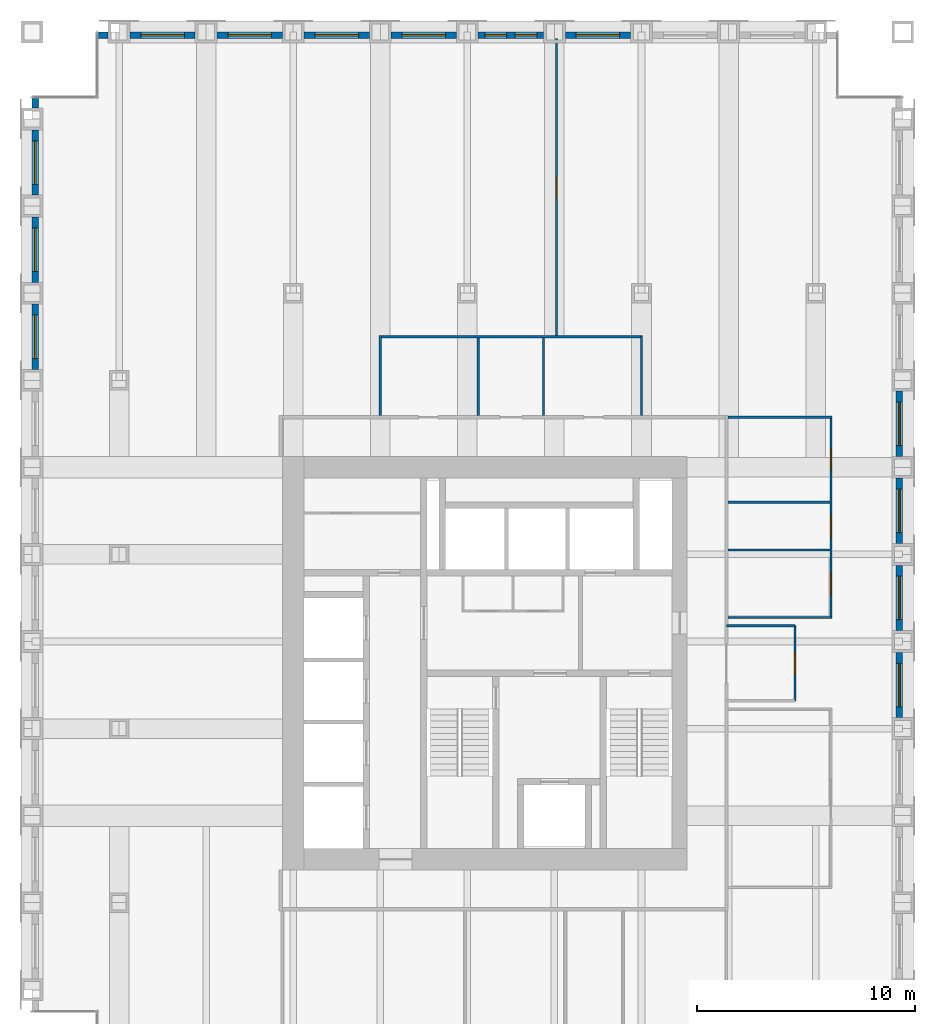
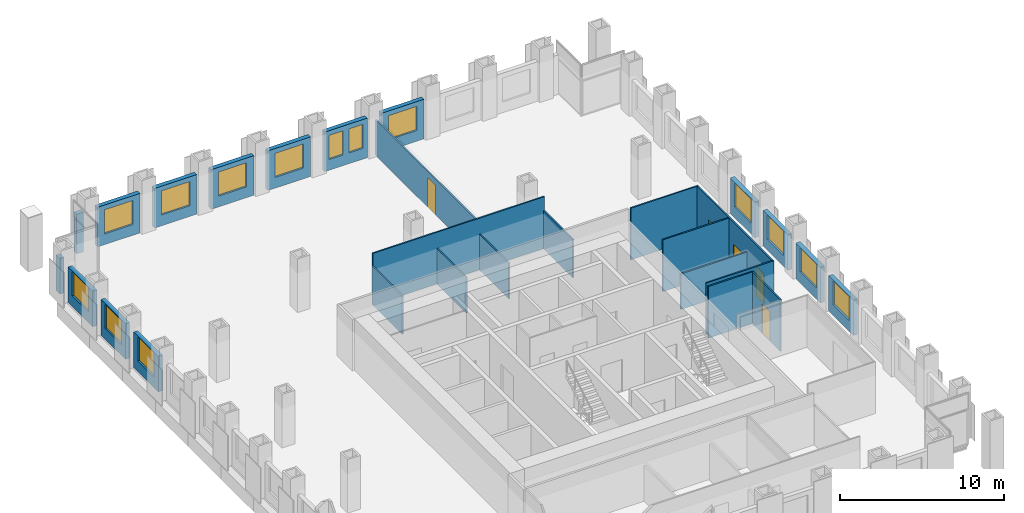
# One storey, part 11 of 13: 28 walls, 14 windows, 5 doors, 19 openings.
"""IFC4 building model written with IfcOpenShell, lengths in metres."""

from ifc_helpers import new_model, si_unit, direction, frame, frame_2d, origin, place, context, subcontext, project, spatial, rectangle, extrude, material, layer, layer_set, type_object, element, fill, save


model = new_model("IFC4")

# Units and contexts
model_context = context("Model", 3, precision=1e-05, world=origin(), true_north=direction((0.0, 1.0)))
body_context = subcontext(model_context, "Body", "Model", "MODEL_VIEW")
ifc_project = project(units=[si_unit("LENGTHUNIT", "METRE"), si_unit("AREAUNIT", "SQUARE_METRE"), si_unit("VOLUMEUNIT", "CUBIC_METRE"), si_unit("PLANEANGLEUNIT", "RADIAN"), si_unit("MASSUNIT", "GRAM", prefix="KILO")], contexts=[model_context])

# Site, building, storey
site_placement = place(None, origin())
site = spatial("IfcSite", under=ifc_project, at=site_placement, CompositionType="ELEMENT")
building_placement = place(site_placement, origin())
building = spatial("IfcBuilding", under=site, at=building_placement, Name="Rimbunsela Tower", CompositionType="ELEMENT")
storey_placement = place(building_placement, frame((0.0, 0.0, 199.800048828125)))
storey = spatial("IfcBuildingStorey", under=building, at=storey_placement, Name="L48", CompositionType="ELEMENT", Elevation=199.800048828125)

# Walls
ifc_material_1 = material(Name="Gypsum board on steel studs", Category="steel")
ifc_layer_1 = layer(ifc_material_1, 0.10009765625)
ifc_layer_set_1 = layer_set([ifc_layer_1], Name="Office partition 100")
wall_type_1 = type_object("IfcWallType", Name="Office partition 100", PredefinedType="PARTITIONING", material=ifc_layer_set_1)
wall_1_placement = place(storey_placement, frame((37.97509765625, 29.10009765625, 0.0), z_axis=(0.0, 0.0, 1.0), x_axis=(1.0, 0.0, 0.0)))
element("IfcWall", 1, at=wall_1_placement, inside=storey, type_object=wall_type_1, Name="Office partition", PredefinedType="PARTITIONING", context=body_context, shape_type="SweptSolid", body=[
    extrude(rectangle(XDim=4.77490234375, YDim=0.10009765625, at=frame_2d((2.387451171875, 0.0))), origin(), (0.0, 0.0, 1.0), 3.849853515625),
])
wall_2_placement = place(storey_placement, frame((37.97509765625, 32.199951171875, 0.0), z_axis=(0.0, 0.0, 1.0), x_axis=(1.0, 0.0, 0.0)))
element("IfcWall", 2, at=wall_2_placement, inside=storey, type_object=wall_type_1, Name="Office partition", PredefinedType="PARTITIONING", context=body_context, shape_type="SweptSolid", body=[
    extrude(rectangle(XDim=4.6748046875, YDim=0.10009765625, at=frame_2d((2.33740234375, 0.0))), origin(), (0.0, 0.0, 1.0), 2.64990234375),
])
wall_3_placement = place(storey_placement, frame((37.97509765625, 34.39990234375, 0.0), z_axis=(0.0, 0.0, 1.0), x_axis=(1.0, 0.0, 0.0)))
element("IfcWall", 3, at=wall_3_placement, inside=storey, type_object=wall_type_1, Name="Office partition", PredefinedType="PARTITIONING", context=body_context, shape_type="SweptSolid", body=[
    extrude(rectangle(XDim=4.6748046875, YDim=0.10009765625, at=frame_2d((2.33740234375, 0.0))), origin(), (0.0, 0.0, 1.0), 3.849853515625),
])
wall_4_placement = place(storey_placement, frame((37.97509765625, 38.300048828125, 0.0), z_axis=(0.0, 0.0, 1.0), x_axis=(1.0, 0.0, 0.0)))
element("IfcWall", 4, at=wall_4_placement, inside=storey, type_object=wall_type_1, Name="Office partition", PredefinedType="PARTITIONING", context=body_context, shape_type="SweptSolid", body=[
    extrude(rectangle(XDim=4.77490234375, YDim=0.10009765625, at=frame_2d((2.387451171875, 0.0))), origin(), (0.0, 0.0, 1.0), 3.849853515625),
])

# Wall, openings, doors
wall_5_placement = place(storey_placement, frame((42.699951171875, 29.14990234375, 0.0), z_axis=(0.0, 0.0, 1.0), x_axis=(0.0, 1.0, 0.0)))
wall_5 = element("IfcWall", 5, at=wall_5_placement, inside=storey, type_object=wall_type_1, Name="Office partition", PredefinedType="PARTITIONING", context=body_context, shape_type="SweptSolid", body=[
    extrude(rectangle(XDim=9.10009765625, YDim=0.10009765625, at=frame_2d((4.550048828125, 0.0))), origin(), (0.0, 0.0, 1.0), 3.849853515625),
])
opening_1_placement = place(wall_5_placement, frame((1.0, 0.0, 0.0)))
opening_1 = element("IfcOpeningElement", 6, at=opening_1_placement, cuts=wall_5, Name="Opening D16", PredefinedType="OPENING", context=body_context, shape_type="SweptSolid", body=[
    extrude(rectangle(XDim=1.0, YDim=2.199951171875, at=frame_2d((0.5, 1.10009765625))), frame((0.0, 0.06005859375, 0.0), z_axis=(0.0, -1.0, 0.0), x_axis=(1.0, 0.0, 0.0)), (0.0, 0.0, 1.0), 0.1201171875),
])
opening_2_placement = place(wall_5_placement, frame((3.64990234375, 0.0, 0.0)))
opening_2 = element("IfcOpeningElement", 7, at=opening_2_placement, cuts=wall_5, Name="Opening D16", PredefinedType="OPENING", context=body_context, shape_type="SweptSolid", body=[
    extrude(rectangle(XDim=1.0, YDim=2.199951171875, at=frame_2d((0.5, 1.10009765625))), frame((0.0, 0.06005859375, 0.0), z_axis=(0.0, -1.0, 0.0), x_axis=(1.0, 0.0, 0.0)), (0.0, 0.0, 1.0), 0.1201171875),
])
opening_3_placement = place(wall_5_placement, frame((6.699951171875, 0.0, 0.0)))
opening_3 = element("IfcOpeningElement", 8, at=opening_3_placement, cuts=wall_5, Name="Opening D16", PredefinedType="OPENING", context=body_context, shape_type="SweptSolid", body=[
    extrude(rectangle(XDim=1.0, YDim=2.199951171875, at=frame_2d((0.5, 1.10009765625))), frame((0.0, 0.06005859375, 0.0), z_axis=(0.0, -1.0, 0.0), x_axis=(1.0, 0.0, 0.0)), (0.0, 0.0, 1.0), 0.1201171875),
])
ifc_material_2 = material(Name="Timber door", Category="wood")
door_type_1 = type_object("IfcDoorType", Name="Office door 1000", OperationType="SINGLE_SWING_LEFT", PredefinedType="DOOR", material=ifc_material_2)
door_1_placement = place(opening_1_placement, origin())
door_1 = element("IfcDoor", 9, at=door_1_placement, inside=storey, type_object=door_type_1, Name="Office door", OperationType="SINGLE_SWING_LEFT", OverallHeight=2.199951171875, OverallWidth=1.0, PredefinedType="DOOR", context=body_context, shape_type="SweptSolid", body=[
    extrude(rectangle(XDim=1.0, YDim=2.199951171875, at=frame_2d((0.5, 1.10009765625))), frame((0.0, 0.02490234375, 0.0), z_axis=(0.0, -1.0, 0.0), x_axis=(1.0, 0.0, 0.0)), (0.0, 0.0, 1.0), 0.050048828125),
])
fill(opening_1, door_1)
door_2_placement = place(opening_2_placement, origin())
door_2 = element("IfcDoor", 10, at=door_2_placement, inside=storey, type_object=door_type_1, Name="Office door", OperationType="SINGLE_SWING_LEFT", OverallHeight=2.199951171875, OverallWidth=1.0, PredefinedType="DOOR", context=body_context, shape_type="SweptSolid", body=[
    extrude(rectangle(XDim=1.0, YDim=2.199951171875, at=frame_2d((0.5, 1.10009765625))), frame((0.0, 0.02490234375, 0.0), z_axis=(0.0, -1.0, 0.0), x_axis=(1.0, 0.0, 0.0)), (0.0, 0.0, 1.0), 0.050048828125),
])
fill(opening_2, door_2)
door_3_placement = place(opening_3_placement, origin())
door_3 = element("IfcDoor", 11, at=door_3_placement, inside=storey, type_object=door_type_1, Name="Office door", OperationType="SINGLE_SWING_LEFT", OverallHeight=2.199951171875, OverallWidth=1.0, PredefinedType="DOOR", context=body_context, shape_type="SweptSolid", body=[
    extrude(rectangle(XDim=1.0, YDim=2.199951171875, at=frame_2d((0.5, 1.10009765625))), frame((0.0, 0.02490234375, 0.0), z_axis=(0.0, -1.0, 0.0), x_axis=(1.0, 0.0, 0.0)), (0.0, 0.0, 1.0), 0.050048828125),
])
fill(opening_3, door_3)

# Wall, opening, door
wall_6_placement = place(storey_placement, frame((30.10009765625, 55.699951171875, 0.0), z_axis=(0.0, 0.0, 1.0), x_axis=(0.0, -1.0, 0.0)))
wall_6 = element("IfcWall", 12, at=wall_6_placement, inside=storey, type_object=wall_type_1, Name="Office partition", PredefinedType="PARTITIONING", context=body_context, shape_type="SweptSolid", body=[
    extrude(rectangle(XDim=13.699951171875, YDim=0.10009765625, at=frame_2d((6.85009765625, 0.0))), origin(), (0.0, 0.0, 1.0), 2.64990234375),
])
opening_4_placement = place(wall_6_placement, frame((6.35009765625, 0.0, 0.0)))
opening_4 = element("IfcOpeningElement", 13, at=opening_4_placement, cuts=wall_6, Name="Opening D17", PredefinedType="OPENING", context=body_context, shape_type="SweptSolid", body=[
    extrude(rectangle(XDim=1.0, YDim=2.199951171875, at=frame_2d((0.5, 1.10009765625))), frame((0.0, 0.06005859375, 0.0), z_axis=(0.0, -1.0, 0.0), x_axis=(1.0, 0.0, 0.0)), (0.0, 0.0, 1.0), 0.1201171875),
])
ifc_material_3 = material(Name="Glazed aluminium door", Category="aluminium")
door_type_2 = type_object("IfcDoorType", Name="Meeting room door 1000 glazed", OperationType="SINGLE_SWING_RIGHT", PredefinedType="DOOR", material=ifc_material_3)
door_4_placement = place(opening_4_placement, origin())
door_4 = element("IfcDoor", 14, at=door_4_placement, inside=storey, type_object=door_type_2, Name="Open office screen door", OperationType="SINGLE_SWING_RIGHT", OverallHeight=2.199951171875, OverallWidth=1.0, PredefinedType="DOOR", context=body_context, shape_type="SweptSolid", body=[
    extrude(rectangle(XDim=1.0, YDim=2.199951171875, at=frame_2d((0.5, 1.10009765625))), frame((0.0, 0.02490234375, 0.0), z_axis=(0.0, -1.0, 0.0), x_axis=(1.0, 0.0, 0.0)), (0.0, 0.0, 1.0), 0.050048828125),
])
fill(opening_4, door_4)

wall_7_placement = place(storey_placement, frame((41.050048828125, 25.27490234375, 0.0), z_axis=(0.0, 0.0, 1.0), x_axis=(0.0, 1.0, 0.0)))
wall_7 = element("IfcWall", 15, at=wall_7_placement, inside=storey, type_object=wall_type_1, Name="Office partition", PredefinedType="PARTITIONING", context=body_context, shape_type="SweptSolid", body=[
    extrude(rectangle(XDim=3.4501953125, YDim=0.10009765625, at=frame_2d((1.72509765625, 0.0))), origin(), (0.0, 0.0, 1.0), 3.849853515625),
])
opening_5_placement = place(wall_7_placement, frame((1.22509765625, 0.0, 0.0)))
opening_5 = element("IfcOpeningElement", 16, at=opening_5_placement, cuts=wall_7, Name="Opening D17", PredefinedType="OPENING", context=body_context, shape_type="SweptSolid", body=[
    extrude(rectangle(XDim=1.0, YDim=2.199951171875, at=frame_2d((0.5, 1.10009765625))), frame((0.0, 0.06005859375, 0.0), z_axis=(0.0, -1.0, 0.0), x_axis=(1.0, 0.0, 0.0)), (0.0, 0.0, 1.0), 0.1201171875),
])
door_5_placement = place(opening_5_placement, origin())
door_5 = element("IfcDoor", 17, at=door_5_placement, inside=storey, type_object=door_type_2, Name="Reception door", OperationType="SINGLE_SWING_RIGHT", OverallHeight=2.199951171875, OverallWidth=1.0, PredefinedType="DOOR", context=body_context, shape_type="SweptSolid", body=[
    extrude(rectangle(XDim=1.0, YDim=2.199951171875, at=frame_2d((0.5, 1.10009765625))), frame((0.0, 0.02490234375, 0.0), z_axis=(0.0, -1.0, 0.0), x_axis=(1.0, 0.0, 0.0)), (0.0, 0.0, 1.0), 0.050048828125),
])
fill(opening_5, door_5)

# Wall
wall_8_placement = place(storey_placement, frame((41.050048828125, 28.72509765625, 0.0), z_axis=(0.0, 0.0, 1.0), x_axis=(-1.0, 0.0, 0.0)))
element("IfcWall", 18, at=wall_8_placement, inside=storey, type_object=wall_type_1, Name="Office partition", PredefinedType="PARTITIONING", context=body_context, shape_type="SweptSolid", body=[
    extrude(rectangle(XDim=3.150146484375, YDim=0.10009765625, at=frame_2d((1.5751953125, 0.0))), origin(), (0.0, 0.0, 1.0), 3.849853515625),
])

# Wall, opening, window
ifc_material_4 = material(Name="Precast concrete fc' 35 MPa", Category="concrete")
ifc_layer_2 = layer(ifc_material_4, 0.300048828125)
ifc_layer_set_2 = layer_set([ifc_layer_2], Name="Precast concrete fc' 35 MPa")
wall_type_2 = type_object("IfcWallType", Name="Precast facade panel 300", PredefinedType="ELEMENTEDWALL", material=ifc_layer_set_2)
wall_9_placement = place(storey_placement, frame((45.85009765625, 24.5, 0.0), z_axis=(0.0, 0.0, 1.0), x_axis=(0.0, 1.0, 0.0)))
wall_9 = element("IfcWall", 19, at=wall_9_placement, inside=storey, type_object=wall_type_2, Name="Facade panel E L48", PredefinedType="ELEMENTEDWALL", context=body_context, shape_type="SweptSolid", body=[
    extrude(rectangle(XDim=3.0, YDim=0.300048828125, at=frame_2d((1.5, 0.0))), origin(), (0.0, 0.0, 1.0), 2.64990234375),
])
opening_6_placement = place(wall_9_placement, frame((0.5, 0.0, 0.800048828125)))
opening_6 = element("IfcOpeningElement", 20, at=opening_6_placement, cuts=wall_9, Name="Opening W7", PredefinedType="OPENING", context=body_context, shape_type="SweptSolid", body=[
    extrude(rectangle(XDim=2.0, YDim=1.800048828125, at=frame_2d((1.0, 0.89990234375))), frame((0.0, 0.159912109375, 0.0), z_axis=(0.0, -1.0, 0.0), x_axis=(1.0, 0.0, 0.0)), (0.0, 0.0, 1.0), 0.320068359375),
])
ifc_material_5 = material(Name="Clear glass in aluminium frame", Category="aluminium")
window_type_1 = type_object("IfcWindowType", Name="Window W7 2000x1800", PartitioningType="DOUBLE_PANEL_VERTICAL", PredefinedType="WINDOW", material=ifc_material_5)
window_1_placement = place(opening_6_placement, origin())
window_1 = element("IfcWindow", 21, at=window_1_placement, inside=storey, type_object=window_type_1, Name="Window L48", OverallHeight=1.800048828125, OverallWidth=2.0, PartitioningType="SINGLE_PANEL", PredefinedType="WINDOW", context=body_context, shape_type="SweptSolid", body=[
    extrude(rectangle(XDim=2.0, YDim=1.800048828125, at=frame_2d((1.0, 0.89990234375))), frame((0.0, 0.030029296875, 0.0), z_axis=(0.0, -1.0, 0.0), x_axis=(1.0, 0.0, 0.0)), (0.0, 0.0, 1.0), 0.06005859375),
])
fill(opening_6, window_1)

wall_10_placement = place(storey_placement, frame((45.85009765625, 28.5, 0.0), z_axis=(0.0, 0.0, 1.0), x_axis=(0.0, 1.0, 0.0)))
wall_10 = element("IfcWall", 22, at=wall_10_placement, inside=storey, type_object=wall_type_2, Name="Facade panel E L48", PredefinedType="ELEMENTEDWALL", context=body_context, shape_type="SweptSolid", body=[
    extrude(rectangle(XDim=3.0, YDim=0.300048828125, at=frame_2d((1.5, 0.0))), origin(), (0.0, 0.0, 1.0), 2.64990234375),
])
opening_7_placement = place(wall_10_placement, frame((0.5, 0.0, 0.800048828125)))
opening_7 = element("IfcOpeningElement", 23, at=opening_7_placement, cuts=wall_10, Name="Opening W7", PredefinedType="OPENING", context=body_context, shape_type="SweptSolid", body=[
    extrude(rectangle(XDim=2.0, YDim=1.800048828125, at=frame_2d((1.0, 0.89990234375))), frame((0.0, 0.159912109375, 0.0), z_axis=(0.0, -1.0, 0.0), x_axis=(1.0, 0.0, 0.0)), (0.0, 0.0, 1.0), 0.320068359375),
])
window_2_placement = place(opening_7_placement, origin())
window_2 = element("IfcWindow", 24, at=window_2_placement, inside=storey, type_object=window_type_1, Name="Window L48", OverallHeight=1.800048828125, OverallWidth=2.0, PartitioningType="SINGLE_PANEL", PredefinedType="WINDOW", context=body_context, shape_type="SweptSolid", body=[
    extrude(rectangle(XDim=2.0, YDim=1.800048828125, at=frame_2d((1.0, 0.89990234375))), frame((0.0, 0.030029296875, 0.0), z_axis=(0.0, -1.0, 0.0), x_axis=(1.0, 0.0, 0.0)), (0.0, 0.0, 1.0), 0.06005859375),
])
fill(opening_7, window_2)

wall_11_placement = place(storey_placement, frame((45.85009765625, 32.5, 0.0), z_axis=(0.0, 0.0, 1.0), x_axis=(0.0, 1.0, 0.0)))
wall_11 = element("IfcWall", 25, at=wall_11_placement, inside=storey, type_object=wall_type_2, Name="Facade panel E L48", PredefinedType="ELEMENTEDWALL", context=body_context, shape_type="SweptSolid", body=[
    extrude(rectangle(XDim=3.0, YDim=0.300048828125, at=frame_2d((1.5, 0.0))), origin(), (0.0, 0.0, 1.0), 2.64990234375),
])
opening_8_placement = place(wall_11_placement, frame((0.5, 0.0, 0.800048828125)))
opening_8 = element("IfcOpeningElement", 26, at=opening_8_placement, cuts=wall_11, Name="Opening W7", PredefinedType="OPENING", context=body_context, shape_type="SweptSolid", body=[
    extrude(rectangle(XDim=2.0, YDim=1.800048828125, at=frame_2d((1.0, 0.89990234375))), frame((0.0, 0.159912109375, 0.0), z_axis=(0.0, -1.0, 0.0), x_axis=(1.0, 0.0, 0.0)), (0.0, 0.0, 1.0), 0.320068359375),
])
window_3_placement = place(opening_8_placement, origin())
window_3 = element("IfcWindow", 27, at=window_3_placement, inside=storey, type_object=window_type_1, Name="Window L48", OverallHeight=1.800048828125, OverallWidth=2.0, PartitioningType="SINGLE_PANEL", PredefinedType="WINDOW", context=body_context, shape_type="SweptSolid", body=[
    extrude(rectangle(XDim=2.0, YDim=1.800048828125, at=frame_2d((1.0, 0.89990234375))), frame((0.0, 0.030029296875, 0.0), z_axis=(0.0, -1.0, 0.0), x_axis=(1.0, 0.0, 0.0)), (0.0, 0.0, 1.0), 0.06005859375),
])
fill(opening_8, window_3)

wall_12_placement = place(storey_placement, frame((45.85009765625, 36.5, 0.0), z_axis=(0.0, 0.0, 1.0), x_axis=(0.0, 1.0, 0.0)))
wall_12 = element("IfcWall", 28, at=wall_12_placement, inside=storey, type_object=wall_type_2, Name="Facade panel E L48", PredefinedType="ELEMENTEDWALL", context=body_context, shape_type="SweptSolid", body=[
    extrude(rectangle(XDim=3.0, YDim=0.300048828125, at=frame_2d((1.5, 0.0))), origin(), (0.0, 0.0, 1.0), 2.64990234375),
])
opening_9_placement = place(wall_12_placement, frame((0.5, 0.0, 0.800048828125)))
opening_9 = element("IfcOpeningElement", 29, at=opening_9_placement, cuts=wall_12, Name="Opening W7", PredefinedType="OPENING", context=body_context, shape_type="SweptSolid", body=[
    extrude(rectangle(XDim=2.0, YDim=1.800048828125, at=frame_2d((1.0, 0.89990234375))), frame((0.0, 0.159912109375, 0.0), z_axis=(0.0, -1.0, 0.0), x_axis=(1.0, 0.0, 0.0)), (0.0, 0.0, 1.0), 0.320068359375),
])
window_4_placement = place(opening_9_placement, origin())
window_4 = element("IfcWindow", 30, at=window_4_placement, inside=storey, type_object=window_type_1, Name="Window L48", OverallHeight=1.800048828125, OverallWidth=2.0, PartitioningType="SINGLE_PANEL", PredefinedType="WINDOW", context=body_context, shape_type="SweptSolid", body=[
    extrude(rectangle(XDim=2.0, YDim=1.800048828125, at=frame_2d((1.0, 0.89990234375))), frame((0.0, 0.030029296875, 0.0), z_axis=(0.0, -1.0, 0.0), x_axis=(1.0, 0.0, 0.0)), (0.0, 0.0, 1.0), 0.06005859375),
])
fill(opening_9, window_4)

# Wall
wall_13_placement = place(storey_placement, frame((9.5, 55.85009765625, 0.0), z_axis=(0.0, 0.0, 1.0), x_axis=(-1.0, 0.0, 0.0)))
element("IfcWall", 31, at=wall_13_placement, inside=storey, type_object=wall_type_2, Name="Facade panel N L48", PredefinedType="ELEMENTEDWALL", context=body_context, shape_type="SweptSolid", body=[
    extrude(rectangle(XDim=0.469970703125, YDim=0.300048828125, at=frame_2d((0.23486328125, 0.0))), origin(), (0.0, 0.0, 1.0), 2.949951171875),
])

# Wall, opening, window
wall_14_placement = place(storey_placement, frame((13.5, 55.85009765625, 0.0), z_axis=(0.0, 0.0, 1.0), x_axis=(-1.0, 0.0, 0.0)))
wall_14 = element("IfcWall", 32, at=wall_14_placement, inside=storey, type_object=wall_type_2, Name="Facade panel N L48", PredefinedType="ELEMENTEDWALL", context=body_context, shape_type="SweptSolid", body=[
    extrude(rectangle(XDim=3.0, YDim=0.300048828125, at=frame_2d((1.5, 0.0))), origin(), (0.0, 0.0, 1.0), 2.949951171875),
])
opening_10_placement = place(wall_14_placement, frame((0.5, 0.0, 0.800048828125)))
opening_10 = element("IfcOpeningElement", 33, at=opening_10_placement, cuts=wall_14, Name="Opening W7", PredefinedType="OPENING", context=body_context, shape_type="SweptSolid", body=[
    extrude(rectangle(XDim=2.0, YDim=1.800048828125, at=frame_2d((1.0, 0.89990234375))), frame((0.0, 0.159912109375, 0.0), z_axis=(0.0, -1.0, 0.0), x_axis=(1.0, 0.0, 0.0)), (0.0, 0.0, 1.0), 0.320068359375),
])
window_5_placement = place(opening_10_placement, origin())
window_5 = element("IfcWindow", 34, at=window_5_placement, inside=storey, type_object=window_type_1, Name="Window L48", OverallHeight=1.800048828125, OverallWidth=2.0, PartitioningType="SINGLE_PANEL", PredefinedType="WINDOW", context=body_context, shape_type="SweptSolid", body=[
    extrude(rectangle(XDim=2.0, YDim=1.800048828125, at=frame_2d((1.0, 0.89990234375))), frame((0.0, 0.030029296875, 0.0), z_axis=(0.0, -1.0, 0.0), x_axis=(1.0, 0.0, 0.0)), (0.0, 0.0, 1.0), 0.06005859375),
])
fill(opening_10, window_5)

wall_15_placement = place(storey_placement, frame((17.5, 55.85009765625, 0.0), z_axis=(0.0, 0.0, 1.0), x_axis=(-1.0, 0.0, 0.0)))
wall_15 = element("IfcWall", 35, at=wall_15_placement, inside=storey, type_object=wall_type_2, Name="Facade panel N L48", PredefinedType="ELEMENTEDWALL", context=body_context, shape_type="SweptSolid", body=[
    extrude(rectangle(XDim=3.0, YDim=0.300048828125, at=frame_2d((1.5, 0.0))), origin(), (0.0, 0.0, 1.0), 2.949951171875),
])
opening_11_placement = place(wall_15_placement, frame((0.5, 0.0, 0.800048828125)))
opening_11 = element("IfcOpeningElement", 36, at=opening_11_placement, cuts=wall_15, Name="Opening W7", PredefinedType="OPENING", context=body_context, shape_type="SweptSolid", body=[
    extrude(rectangle(XDim=2.0, YDim=1.800048828125, at=frame_2d((1.0, 0.89990234375))), frame((0.0, 0.159912109375, 0.0), z_axis=(0.0, -1.0, 0.0), x_axis=(1.0, 0.0, 0.0)), (0.0, 0.0, 1.0), 0.320068359375),
])
window_6_placement = place(opening_11_placement, origin())
window_6 = element("IfcWindow", 37, at=window_6_placement, inside=storey, type_object=window_type_1, Name="Window L48", OverallHeight=1.800048828125, OverallWidth=2.0, PartitioningType="SINGLE_PANEL", PredefinedType="WINDOW", context=body_context, shape_type="SweptSolid", body=[
    extrude(rectangle(XDim=2.0, YDim=1.800048828125, at=frame_2d((1.0, 0.89990234375))), frame((0.0, 0.030029296875, 0.0), z_axis=(0.0, -1.0, 0.0), x_axis=(1.0, 0.0, 0.0)), (0.0, 0.0, 1.0), 0.06005859375),
])
fill(opening_11, window_6)

wall_16_placement = place(storey_placement, frame((21.5, 55.85009765625, 0.0), z_axis=(0.0, 0.0, 1.0), x_axis=(-1.0, 0.0, 0.0)))
wall_16 = element("IfcWall", 38, at=wall_16_placement, inside=storey, type_object=wall_type_2, Name="Facade panel N L48", PredefinedType="ELEMENTEDWALL", context=body_context, shape_type="SweptSolid", body=[
    extrude(rectangle(XDim=3.0, YDim=0.300048828125, at=frame_2d((1.5, 0.0))), origin(), (0.0, 0.0, 1.0), 2.949951171875),
])
opening_12_placement = place(wall_16_placement, frame((0.5, 0.0, 0.800048828125)))
opening_12 = element("IfcOpeningElement", 39, at=opening_12_placement, cuts=wall_16, Name="Opening W7", PredefinedType="OPENING", context=body_context, shape_type="SweptSolid", body=[
    extrude(rectangle(XDim=2.0, YDim=1.800048828125, at=frame_2d((1.0, 0.89990234375))), frame((0.0, 0.159912109375, 0.0), z_axis=(0.0, -1.0, 0.0), x_axis=(1.0, 0.0, 0.0)), (0.0, 0.0, 1.0), 0.320068359375),
])
window_7_placement = place(opening_12_placement, origin())
window_7 = element("IfcWindow", 40, at=window_7_placement, inside=storey, type_object=window_type_1, Name="Window L48", OverallHeight=1.800048828125, OverallWidth=2.0, PartitioningType="SINGLE_PANEL", PredefinedType="WINDOW", context=body_context, shape_type="SweptSolid", body=[
    extrude(rectangle(XDim=2.0, YDim=1.800048828125, at=frame_2d((1.0, 0.89990234375))), frame((0.0, 0.030029296875, 0.0), z_axis=(0.0, -1.0, 0.0), x_axis=(1.0, 0.0, 0.0)), (0.0, 0.0, 1.0), 0.06005859375),
])
fill(opening_12, window_7)

wall_17_placement = place(storey_placement, frame((25.5, 55.85009765625, 0.0), z_axis=(0.0, 0.0, 1.0), x_axis=(-1.0, 0.0, 0.0)))
wall_17 = element("IfcWall", 41, at=wall_17_placement, inside=storey, type_object=wall_type_2, Name="Facade panel N L48", PredefinedType="ELEMENTEDWALL", context=body_context, shape_type="SweptSolid", body=[
    extrude(rectangle(XDim=3.0, YDim=0.300048828125, at=frame_2d((1.5, 0.0))), origin(), (0.0, 0.0, 1.0), 2.949951171875),
])
opening_13_placement = place(wall_17_placement, frame((0.5, 0.0, 0.800048828125)))
opening_13 = element("IfcOpeningElement", 42, at=opening_13_placement, cuts=wall_17, Name="Opening W7", PredefinedType="OPENING", context=body_context, shape_type="SweptSolid", body=[
    extrude(rectangle(XDim=2.0, YDim=1.800048828125, at=frame_2d((1.0, 0.89990234375))), frame((0.0, 0.159912109375, 0.0), z_axis=(0.0, -1.0, 0.0), x_axis=(1.0, 0.0, 0.0)), (0.0, 0.0, 1.0), 0.320068359375),
])
window_8_placement = place(opening_13_placement, origin())
window_8 = element("IfcWindow", 43, at=window_8_placement, inside=storey, type_object=window_type_1, Name="Window L48", OverallHeight=1.800048828125, OverallWidth=2.0, PartitioningType="SINGLE_PANEL", PredefinedType="WINDOW", context=body_context, shape_type="SweptSolid", body=[
    extrude(rectangle(XDim=2.0, YDim=1.800048828125, at=frame_2d((1.0, 0.89990234375))), frame((0.0, 0.030029296875, 0.0), z_axis=(0.0, -1.0, 0.0), x_axis=(1.0, 0.0, 0.0)), (0.0, 0.0, 1.0), 0.06005859375),
])
fill(opening_13, window_8)

# Wall, openings, windows
wall_18_placement = place(storey_placement, frame((29.5, 55.85009765625, 0.0), z_axis=(0.0, 0.0, 1.0), x_axis=(-1.0, 0.0, 0.0)))
wall_18 = element("IfcWall", 44, at=wall_18_placement, inside=storey, type_object=wall_type_2, Name="Facade panel N L48", PredefinedType="ELEMENTEDWALL", context=body_context, shape_type="SweptSolid", body=[
    extrude(rectangle(XDim=3.0, YDim=0.300048828125, at=frame_2d((1.5, 0.0))), origin(), (0.0, 0.0, 1.0), 2.949951171875),
])
opening_14_placement = place(wall_18_placement, frame((1.699951171875, 0.0, 0.800048828125)))
opening_14 = element("IfcOpeningElement", 45, at=opening_14_placement, cuts=wall_18, Name="Opening W8", PredefinedType="OPENING", context=body_context, shape_type="SweptSolid", body=[
    extrude(rectangle(XDim=1.0, YDim=1.800048828125, at=frame_2d((0.5, 0.89990234375))), frame((0.0, 0.159912109375, 0.0), z_axis=(0.0, -1.0, 0.0), x_axis=(1.0, 0.0, 0.0)), (0.0, 0.0, 1.0), 0.320068359375),
])
opening_15_placement = place(wall_18_placement, frame((0.300048828125, 0.0, 0.800048828125)))
opening_15 = element("IfcOpeningElement", 46, at=opening_15_placement, cuts=wall_18, Name="Opening W8", PredefinedType="OPENING", context=body_context, shape_type="SweptSolid", body=[
    extrude(rectangle(XDim=1.0, YDim=1.800048828125, at=frame_2d((0.5, 0.89990234375))), frame((0.0, 0.159912109375, 0.0), z_axis=(0.0, -1.0, 0.0), x_axis=(1.0, 0.0, 0.0)), (0.0, 0.0, 1.0), 0.320068359375),
])
ifc_material_6 = material(Name="Clear glass in aluminium frame", Category="aluminium")
window_type_2 = type_object("IfcWindowType", Name="Window W8 1000x1800", PartitioningType="SINGLE_PANEL", PredefinedType="WINDOW", material=ifc_material_6)
window_9_placement = place(opening_14_placement, origin())
window_9 = element("IfcWindow", 47, at=window_9_placement, inside=storey, type_object=window_type_2, Name="Window L48", OverallHeight=1.800048828125, OverallWidth=1.0, PartitioningType="SINGLE_PANEL", PredefinedType="WINDOW", context=body_context, shape_type="SweptSolid", body=[
    extrude(rectangle(XDim=1.0, YDim=1.800048828125, at=frame_2d((0.5, 0.89990234375))), frame((0.0, 0.030029296875, 0.0), z_axis=(0.0, -1.0, 0.0), x_axis=(1.0, 0.0, 0.0)), (0.0, 0.0, 1.0), 0.06005859375),
])
fill(opening_14, window_9)
window_10_placement = place(opening_15_placement, origin())
window_10 = element("IfcWindow", 48, at=window_10_placement, inside=storey, type_object=window_type_2, Name="Window L48", OverallHeight=1.800048828125, OverallWidth=1.0, PartitioningType="SINGLE_PANEL", PredefinedType="WINDOW", context=body_context, shape_type="SweptSolid", body=[
    extrude(rectangle(XDim=1.0, YDim=1.800048828125, at=frame_2d((0.5, 0.89990234375))), frame((0.0, 0.030029296875, 0.0), z_axis=(0.0, -1.0, 0.0), x_axis=(1.0, 0.0, 0.0)), (0.0, 0.0, 1.0), 0.06005859375),
])
fill(opening_15, window_10)

# Wall, opening, window
wall_19_placement = place(storey_placement, frame((33.5, 55.85009765625, 0.0), z_axis=(0.0, 0.0, 1.0), x_axis=(-1.0, 0.0, 0.0)))
wall_19 = element("IfcWall", 49, at=wall_19_placement, inside=storey, type_object=wall_type_2, Name="Facade panel N L48", PredefinedType="ELEMENTEDWALL", context=body_context, shape_type="SweptSolid", body=[
    extrude(rectangle(XDim=3.0, YDim=0.300048828125, at=frame_2d((1.5, 0.0))), origin(), (0.0, 0.0, 1.0), 2.949951171875),
])
opening_16_placement = place(wall_19_placement, frame((0.5, 0.0, 0.800048828125)))
opening_16 = element("IfcOpeningElement", 50, at=opening_16_placement, cuts=wall_19, Name="Opening W7", PredefinedType="OPENING", context=body_context, shape_type="SweptSolid", body=[
    extrude(rectangle(XDim=2.0, YDim=1.800048828125, at=frame_2d((1.0, 0.89990234375))), frame((0.0, 0.159912109375, 0.0), z_axis=(0.0, -1.0, 0.0), x_axis=(1.0, 0.0, 0.0)), (0.0, 0.0, 1.0), 0.320068359375),
])
window_11_placement = place(opening_16_placement, origin())
window_11 = element("IfcWindow", 51, at=window_11_placement, inside=storey, type_object=window_type_1, Name="Window L48", OverallHeight=1.800048828125, OverallWidth=2.0, PartitioningType="SINGLE_PANEL", PredefinedType="WINDOW", context=body_context, shape_type="SweptSolid", body=[
    extrude(rectangle(XDim=2.0, YDim=1.800048828125, at=frame_2d((1.0, 0.89990234375))), frame((0.0, 0.030029296875, 0.0), z_axis=(0.0, -1.0, 0.0), x_axis=(1.0, 0.0, 0.0)), (0.0, 0.0, 1.0), 0.06005859375),
])
fill(opening_16, window_11)

wall_20_placement = place(storey_placement, frame((6.14990234375, 43.5, 0.0), z_axis=(0.0, 0.0, 1.0), x_axis=(0.0, -1.0, 0.0)))
wall_20 = element("IfcWall", 52, at=wall_20_placement, inside=storey, type_object=wall_type_2, Name="Facade panel W L48", PredefinedType="ELEMENTEDWALL", context=body_context, shape_type="SweptSolid", body=[
    extrude(rectangle(XDim=3.0, YDim=0.300048828125, at=frame_2d((1.5, 0.0))), origin(), (0.0, 0.0, 1.0), 2.64990234375),
])
opening_17_placement = place(wall_20_placement, frame((0.5, 0.0, 0.800048828125)))
opening_17 = element("IfcOpeningElement", 53, at=opening_17_placement, cuts=wall_20, Name="Opening W7", PredefinedType="OPENING", context=body_context, shape_type="SweptSolid", body=[
    extrude(rectangle(XDim=2.0, YDim=1.800048828125, at=frame_2d((1.0, 0.89990234375))), frame((0.0, 0.159912109375, 0.0), z_axis=(0.0, -1.0, 0.0), x_axis=(1.0, 0.0, 0.0)), (0.0, 0.0, 1.0), 0.320068359375),
])
window_12_placement = place(opening_17_placement, origin())
window_12 = element("IfcWindow", 54, at=window_12_placement, inside=storey, type_object=window_type_1, Name="Window L48", OverallHeight=1.800048828125, OverallWidth=2.0, PartitioningType="SINGLE_PANEL", PredefinedType="WINDOW", context=body_context, shape_type="SweptSolid", body=[
    extrude(rectangle(XDim=2.0, YDim=1.800048828125, at=frame_2d((1.0, 0.89990234375))), frame((0.0, 0.030029296875, 0.0), z_axis=(0.0, -1.0, 0.0), x_axis=(1.0, 0.0, 0.0)), (0.0, 0.0, 1.0), 0.06005859375),
])
fill(opening_17, window_12)

wall_21_placement = place(storey_placement, frame((6.14990234375, 47.5, 0.0), z_axis=(0.0, 0.0, 1.0), x_axis=(0.0, -1.0, 0.0)))
wall_21 = element("IfcWall", 55, at=wall_21_placement, inside=storey, type_object=wall_type_2, Name="Facade panel W L48", PredefinedType="ELEMENTEDWALL", context=body_context, shape_type="SweptSolid", body=[
    extrude(rectangle(XDim=3.0, YDim=0.300048828125, at=frame_2d((1.5, 0.0))), origin(), (0.0, 0.0, 1.0), 2.64990234375),
])
opening_18_placement = place(wall_21_placement, frame((0.5, 0.0, 0.800048828125)))
opening_18 = element("IfcOpeningElement", 56, at=opening_18_placement, cuts=wall_21, Name="Opening W7", PredefinedType="OPENING", context=body_context, shape_type="SweptSolid", body=[
    extrude(rectangle(XDim=2.0, YDim=1.800048828125, at=frame_2d((1.0, 0.89990234375))), frame((0.0, 0.159912109375, 0.0), z_axis=(0.0, -1.0, 0.0), x_axis=(1.0, 0.0, 0.0)), (0.0, 0.0, 1.0), 0.320068359375),
])
window_13_placement = place(opening_18_placement, origin())
window_13 = element("IfcWindow", 57, at=window_13_placement, inside=storey, type_object=window_type_1, Name="Window L48", OverallHeight=1.800048828125, OverallWidth=2.0, PartitioningType="SINGLE_PANEL", PredefinedType="WINDOW", context=body_context, shape_type="SweptSolid", body=[
    extrude(rectangle(XDim=2.0, YDim=1.800048828125, at=frame_2d((1.0, 0.89990234375))), frame((0.0, 0.030029296875, 0.0), z_axis=(0.0, -1.0, 0.0), x_axis=(1.0, 0.0, 0.0)), (0.0, 0.0, 1.0), 0.06005859375),
])
fill(opening_18, window_13)

wall_22_placement = place(storey_placement, frame((6.14990234375, 51.5, 0.0), z_axis=(0.0, 0.0, 1.0), x_axis=(0.0, -1.0, 0.0)))
wall_22 = element("IfcWall", 58, at=wall_22_placement, inside=storey, type_object=wall_type_2, Name="Facade panel W L48", PredefinedType="ELEMENTEDWALL", context=body_context, shape_type="SweptSolid", body=[
    extrude(rectangle(XDim=3.0, YDim=0.300048828125, at=frame_2d((1.5, 0.0))), origin(), (0.0, 0.0, 1.0), 2.64990234375),
])
opening_19_placement = place(wall_22_placement, frame((0.5, 0.0, 0.800048828125)))
opening_19 = element("IfcOpeningElement", 59, at=opening_19_placement, cuts=wall_22, Name="Opening W7", PredefinedType="OPENING", context=body_context, shape_type="SweptSolid", body=[
    extrude(rectangle(XDim=2.0, YDim=1.800048828125, at=frame_2d((1.0, 0.89990234375))), frame((0.0, 0.159912109375, 0.0), z_axis=(0.0, -1.0, 0.0), x_axis=(1.0, 0.0, 0.0)), (0.0, 0.0, 1.0), 0.320068359375),
])
window_14_placement = place(opening_19_placement, origin())
window_14 = element("IfcWindow", 60, at=window_14_placement, inside=storey, type_object=window_type_1, Name="Window L48", OverallHeight=1.800048828125, OverallWidth=2.0, PartitioningType="SINGLE_PANEL", PredefinedType="WINDOW", context=body_context, shape_type="SweptSolid", body=[
    extrude(rectangle(XDim=2.0, YDim=1.800048828125, at=frame_2d((1.0, 0.89990234375))), frame((0.0, 0.030029296875, 0.0), z_axis=(0.0, -1.0, 0.0), x_axis=(1.0, 0.0, 0.0)), (0.0, 0.0, 1.0), 0.06005859375),
])
fill(opening_19, window_14)

# Walls
wall_23_placement = place(storey_placement, frame((6.14990234375, 52.969970703125, 0.0), z_axis=(0.0, 0.0, 1.0), x_axis=(0.0, -1.0, 0.0)))
element("IfcWall", 61, at=wall_23_placement, inside=storey, type_object=wall_type_2, Name="Facade panel W L48", PredefinedType="ELEMENTEDWALL", context=body_context, shape_type="SweptSolid", body=[
    extrude(rectangle(XDim=0.469970703125, YDim=0.300048828125, at=frame_2d((0.23486328125, 0.0))), origin(), (0.0, 0.0, 1.0), 2.64990234375),
])
ifc_material_7 = material(Name="Concrete blockwork", Category="masonry")
ifc_layer_3 = layer(ifc_material_7, 0.10009765625)
ifc_layer_set_3 = layer_set([ifc_layer_3], Name="Toilet partition 100")
wall_type_3 = type_object("IfcWallType", Name="Toilet partition 100", PredefinedType="PARTITIONING", material=ifc_layer_set_3)
for number, where, z_axis, x_axis, name in (
    (62, (22.0, 38.375, 0.0), (0.0, 0.0, 1.0), (0.0, 1.0, 0.0), "Toilet block wall west"),
    (63, (34.0, 38.375, 0.0), (0.0, 0.0, 1.0), (0.0, 1.0, 0.0), "Toilet block wall east"),
):
    element("IfcWall", number, at=place(storey_placement, frame(where, z_axis=z_axis, x_axis=x_axis)), inside=storey, type_object=wall_type_3, Name=name, PredefinedType="PARTITIONING", context=body_context, shape_type="SweptSolid", body=[
        extrude(rectangle(XDim=3.675048828125, YDim=0.10009765625, at=frame_2d((1.83740234375, 0.0))), origin(), (0.0, 0.0, 1.0), 2.849853515625),
    ])
wall_24_placement = place(storey_placement, frame((21.949951171875, 42.0, 0.0), z_axis=(0.0, 0.0, 1.0), x_axis=(1.0, 0.0, 0.0)))
element("IfcWall", 64, at=wall_24_placement, inside=storey, type_object=wall_type_3, Name="Toilet block wall north", PredefinedType="PARTITIONING", context=body_context, shape_type="SweptSolid", body=[
    extrude(rectangle(XDim=12.10009765625, YDim=0.10009765625, at=frame_2d((6.050048828125, 0.0))), origin(), (0.0, 0.0, 1.0), 3.849853515625),
])
for number, where, z_axis, x_axis, name in (
    (65, (26.5, 38.375, 0.0), (0.0, 0.0, 1.0), (0.0, 1.0, 0.0), "Toilet partition"),
    (66, (29.5, 38.375, 0.0), (0.0, 0.0, 1.0), (0.0, 1.0, 0.0), "Toilet partition"),
):
    element("IfcWall", number, at=place(storey_placement, frame(where, z_axis=z_axis, x_axis=x_axis)), inside=storey, type_object=wall_type_3, Name=name, PredefinedType="PARTITIONING", context=body_context, shape_type="SweptSolid", body=[
        extrude(rectangle(XDim=3.574951171875, YDim=0.10009765625, at=frame_2d((1.78759765625, 0.0))), origin(), (0.0, 0.0, 1.0), 2.64990234375),
    ])

save(model, "model.ifc")
